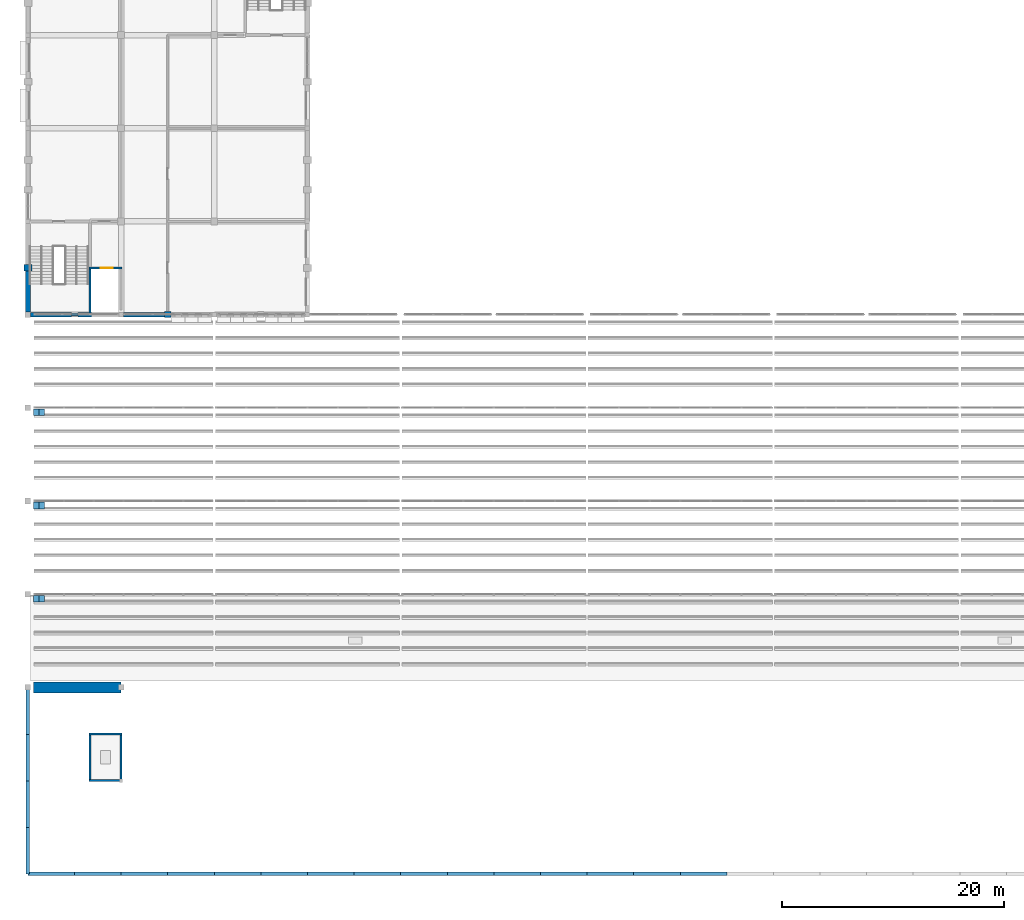
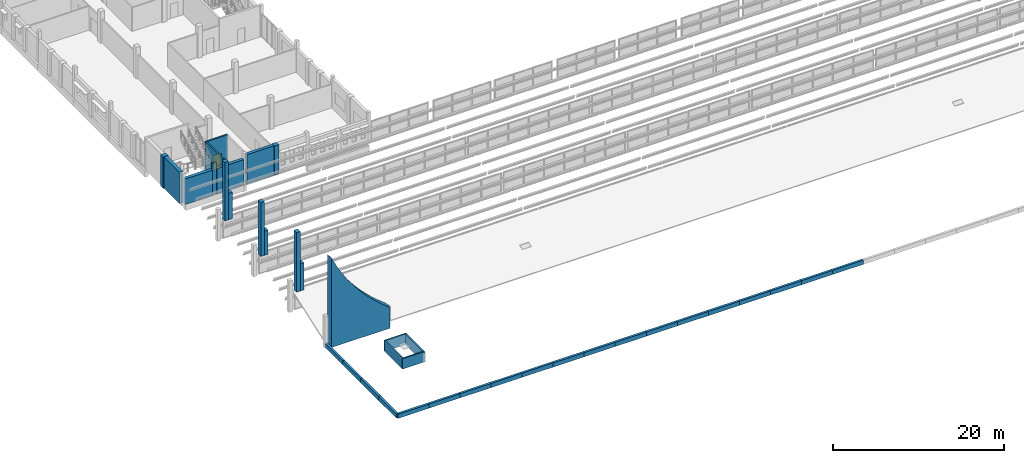
# One storey, part 92 of 116: 39 walls, 1 door, 1 opening.
"""IFC4 building model written with IfcOpenShell, lengths in metres."""

from ifc_helpers import new_model, si_unit, direction, frame, frame_2d, origin, place, context, subcontext, project, spatial, polyline, rectangle, outline, extrude, material, layer, layer_set, type_object, element, fill, save


model = new_model("IFC4")

# Units and contexts
model_context = context("Model", 3, precision=1e-05, world=origin(), true_north=direction((0.0, 1.0)))
body_context = subcontext(model_context, "Body", "Model", "MODEL_VIEW")
ifc_project = project(units=[si_unit("LENGTHUNIT", "METRE"), si_unit("AREAUNIT", "SQUARE_METRE"), si_unit("VOLUMEUNIT", "CUBIC_METRE"), si_unit("PLANEANGLEUNIT", "RADIAN"), si_unit("MASSUNIT", "GRAM", prefix="KILO")], contexts=[model_context])

# Site, building, storey
site_placement = place(None, origin())
site = spatial("IfcSite", under=ifc_project, at=site_placement, CompositionType="ELEMENT")
building_placement = place(site_placement, origin())
building = spatial("IfcBuilding", under=site, at=building_placement, Name="Fescue Hill Polytechnic", CompositionType="ELEMENT")
storey_placement = place(building_placement, frame((0.0, 0.0, 13.5)))
storey = spatial("IfcBuildingStorey", under=building, at=storey_placement, Name="L03", CompositionType="ELEMENT", Elevation=13.5)

# Walls
ifc_material_1 = material(Name="Clay brick masonry", Category="masonry")
ifc_layer_1 = layer(ifc_material_1, 0.60009765625)
ifc_layer_set_1 = layer_set([ifc_layer_1], Name="Clay brick masonry")
wall_type_1 = type_object("IfcWallType", Name="Brick crest pier 600", PredefinedType="SOLIDWALL", material=ifc_layer_set_1)
wall_1_placement = place(storey_placement, frame((0.5, 24.800048828125, 2.949951171875), z_axis=(0.0, 0.0, 1.0), x_axis=(1.0, 0.0, 0.0)))
element("IfcWall", 1, at=wall_1_placement, inside=storey, type_object=wall_type_1, Name="Hall west gable crest buttress 01", PredefinedType="SOLIDWALL", context=body_context, shape_type="SweptSolid", body=[
    extrude(rectangle(XDim=0.5, YDim=0.60009765625, at=frame_2d((0.25, 0.0))), origin(), (0.0, 0.0, 1.0), 8.526123046875),
])
wall_2_placement = place(storey_placement, frame((1.0, 24.800048828125, 2.949951171875), z_axis=(0.0, 0.0, 1.0), x_axis=(1.0, 0.0, 0.0)))
element("IfcWall", 2, at=wall_2_placement, inside=storey, type_object=wall_type_1, Name="Hall west gable crest buttress 01 foot", PredefinedType="SOLIDWALL", context=body_context, shape_type="SweptSolid", body=[
    extrude(rectangle(XDim=0.5, YDim=0.60009765625, at=frame_2d((0.25, 0.0))), origin(), (0.0, 0.0, 1.0), 3.837158203125),
])
wall_3_placement = place(storey_placement, frame((0.5, 33.199951171875, 2.949951171875), z_axis=(0.0, 0.0, 1.0), x_axis=(1.0, 0.0, 0.0)))
element("IfcWall", 3, at=wall_3_placement, inside=storey, type_object=wall_type_1, Name="Hall west gable crest buttress 02", PredefinedType="SOLIDWALL", context=body_context, shape_type="SweptSolid", body=[
    extrude(rectangle(XDim=0.5, YDim=0.60009765625, at=frame_2d((0.25, 0.0))), origin(), (0.0, 0.0, 1.0), 7.697021484375),
])
wall_4_placement = place(storey_placement, frame((1.0, 33.199951171875, 2.949951171875), z_axis=(0.0, 0.0, 1.0), x_axis=(1.0, 0.0, 0.0)))
element("IfcWall", 4, at=wall_4_placement, inside=storey, type_object=wall_type_1, Name="Hall west gable crest buttress 02 foot", PredefinedType="SOLIDWALL", context=body_context, shape_type="SweptSolid", body=[
    extrude(rectangle(XDim=0.5, YDim=0.60009765625, at=frame_2d((0.25, 0.0))), origin(), (0.0, 0.0, 1.0), 3.464111328125),
])
wall_5_placement = place(storey_placement, frame((0.5, 41.60009765625, 2.949951171875), z_axis=(0.0, 0.0, 1.0), x_axis=(1.0, 0.0, 0.0)))
element("IfcWall", 5, at=wall_5_placement, inside=storey, type_object=wall_type_1, Name="Hall west gable crest buttress 03", PredefinedType="SOLIDWALL", context=body_context, shape_type="SweptSolid", body=[
    extrude(rectangle(XDim=0.5, YDim=0.60009765625, at=frame_2d((0.25, 0.0))), origin(), (0.0, 0.0, 1.0), 8.381103515625),
])
wall_6_placement = place(storey_placement, frame((1.0, 41.60009765625, 2.949951171875), z_axis=(0.0, 0.0, 1.0), x_axis=(1.0, 0.0, 0.0)))
element("IfcWall", 6, at=wall_6_placement, inside=storey, type_object=wall_type_1, Name="Hall west gable crest buttress 03 foot", PredefinedType="SOLIDWALL", context=body_context, shape_type="SweptSolid", body=[
    extrude(rectangle(XDim=0.5, YDim=0.60009765625, at=frame_2d((0.25, 0.0))), origin(), (0.0, 0.0, 1.0), 3.77099609375),
])
ifc_layer_2 = layer(ifc_material_1, 1.0)
ifc_layer_set_2 = layer_set([ifc_layer_2], Name="Clay brick masonry")
wall_type_2 = type_object("IfcWallType", Name="Brick crest wall 1000", PredefinedType="SOLIDWALL", material=ifc_layer_set_2)
wall_7_placement = place(storey_placement, frame((0.5, 16.800048828125, 0.0), z_axis=(0.0, 0.0, 1.0), x_axis=(1.0, 0.0, 0.0)))
element("IfcWall", 7, at=wall_7_placement, inside=storey, type_object=wall_type_2, Name="Hall west crest south return", PredefinedType="SOLIDWALL", context=body_context, shape_type="SweptSolid", body=[
    extrude(outline(polyline([(0.0, 0.0), (7.89990234375, 0.0), (7.89990234375, 3.0), (6.91259765625, 3.771484375), (5.925048828125, 4.6279296875), (4.9375, 5.581787109375), (3.949951171875, 6.64990234375), (2.96240234375, 7.8564453125), (1.97509765625, 9.2373046875), (0.987548828125, 10.851806640625), (0.0, 12.809326171875), (0.0, 0.0)])), frame((0.0, 0.5, 0.0), z_axis=(0.0, -1.0, 0.0), x_axis=(1.0, 0.0, 0.0)), (0.0, 0.0, 1.0), 1.0),
])
ifc_layer_3 = layer(ifc_material_1, 0.550048828125)
ifc_layer_set_3 = layer_set([ifc_layer_3], Name="Clay brick masonry")
wall_type_3 = type_object("IfcWallType", Name="Brick pier 600x550", PredefinedType="SOLIDWALL", material=ifc_layer_set_3)
wall_8_placement = place(storey_placement, frame((12.300048828125, 50.39990234375, 0.0), z_axis=(0.0, 0.0, 1.0), x_axis=(1.0, 0.0, 0.0)))
element("IfcWall", 8, at=wall_8_placement, inside=storey, type_object=wall_type_3, Name="PR-L03-V4-23", PredefinedType="SOLIDWALL", context=body_context, shape_type="SweptSolid", body=[
    extrude(rectangle(XDim=0.599853515625, YDim=0.550048828125, at=frame_2d((0.2998046875, 0.0))), origin(), (0.0, 0.0, 1.0), 4.199951171875),
])
ifc_material_2 = material(Name="Concrete 40 MPa", Category="concrete")
ifc_layer_4 = layer(ifc_material_2, 0.25)
ifc_layer_set_4 = layer_set([ifc_layer_4], Name="Concrete 40 MPa")
wall_type_4 = type_object("IfcWallType", Name="Core wall 250", PredefinedType="SHEAR", material=ifc_layer_set_4)
wall_9_placement = place(storey_placement, frame((3.925048828125, 50.39990234375, 0.0), z_axis=(0.0, 0.0, 1.0), x_axis=(1.0, 0.0, 0.0)))
element("IfcWall", 9, at=wall_9_placement, inside=storey, type_object=wall_type_4, Name="SCW-L03-ST-V4-1-s1", PredefinedType="SHEAR", context=body_context, shape_type="SweptSolid", body=[
    extrude(rectangle(XDim=0.599853515625, YDim=0.25, at=frame_2d((0.2998046875, 0.0))), origin(), (0.0, 0.0, 1.0), 4.5),
])
ifc_layer_5 = layer(ifc_material_2, 0.449951171875)
ifc_layer_set_5 = layer_set([ifc_layer_5], Name="Concrete 40 MPa")
wall_type_5 = type_object("IfcWallType", Name="Exterior wall board-marked concrete 450 load-bearing", PredefinedType="SOLIDWALL", material=ifc_layer_set_5)
wall_10_placement = place(storey_placement, frame((0.0, 54.324951171875, 0.0), z_axis=(0.0, 0.0, 1.0), x_axis=(0.0, -1.0, 0.0)))
element("IfcWall", 10, at=wall_10_placement, inside=storey, type_object=wall_type_5, Name="EW-L03-V4-35", PredefinedType="SOLIDWALL", context=body_context, shape_type="SweptSolid", body=[
    extrude(rectangle(XDim=3.675048828125, YDim=0.449951171875, at=frame_2d((1.83740234375, 0.0))), origin(), (0.0, 0.0, 1.0), 4.5),
])
ifc_layer_6 = layer(ifc_material_1, 0.419921875)
ifc_layer_set_6 = layer_set([ifc_layer_6], Name="Clay brick masonry")
wall_type_6 = type_object("IfcWallType", Name="Exterior wall buff-red brick cavity 420", PredefinedType="SOLIDWALL", material=ifc_layer_set_6)
wall_11_placement = place(storey_placement, frame((8.60009765625, 50.39990234375, 0.0), z_axis=(0.0, 0.0, 1.0), x_axis=(1.0, 0.0, 0.0)))
element("IfcWall", 11, at=wall_11_placement, inside=storey, type_object=wall_type_6, Name="EW-L03-V4-38", PredefinedType="SOLIDWALL", context=body_context, shape_type="SweptSolid", body=[
    extrude(rectangle(XDim=3.699951171875, YDim=0.419921875, at=frame_2d((1.85009765625, 0.0))), origin(), (0.0, 0.0, 1.0), 4.199951171875),
])
ifc_layer_7 = layer(ifc_material_1, 0.419921875)
ifc_layer_set_7 = layer_set([ifc_layer_7], Name="Clay brick masonry")
wall_type_7 = type_object("IfcWallType", Name="Exterior wall buff-red brick cavity 420 load-bearing", PredefinedType="SOLIDWALL", material=ifc_layer_set_7)
for number, where, z_axis, x_axis, name in (
    (12, (0.25, 50.39990234375, 0.0), (0.0, 0.0, 1.0), (1.0, 0.0, 0.0), "EW-L03-V4-36"),
    (13, (4.52490234375, 50.39990234375, 0.0), (0.0, 0.0, 1.0), (1.0, 0.0, 0.0), "EW-L03-V4-37"),
):
    element("IfcWall", number, at=place(storey_placement, frame(where, z_axis=z_axis, x_axis=x_axis)), inside=storey, type_object=wall_type_7, Name=name, PredefinedType="SOLIDWALL", context=body_context, shape_type="SweptSolid", body=[
        extrude(rectangle(XDim=3.675048828125, YDim=0.419921875, at=frame_2d((1.83740234375, 0.0))), origin(), (0.0, 0.0, 1.0), 3.64990234375),
    ])
ifc_layer_8 = layer(ifc_material_2, 0.699951171875)
ifc_layer_set_8 = layer_set([ifc_layer_8], Name="Concrete 40 MPa")
wall_type_8 = type_object("IfcWallType", Name="Fin wall board-marked 600x700", PredefinedType="SOLIDWALL", material=ifc_layer_set_8)
wall_12_placement = place(storey_placement, frame((0.0, 54.925048828125, 0.0), z_axis=(0.0, 0.0, 1.0), x_axis=(0.0, -1.0, 0.0)))
element("IfcWall", 14, at=wall_12_placement, inside=storey, type_object=wall_type_8, Name="PR-L03-V4-21", PredefinedType="SOLIDWALL", context=body_context, shape_type="SweptSolid", body=[
    extrude(rectangle(XDim=0.60009765625, YDim=0.699951171875, at=frame_2d((0.300048828125, 0.0))), origin(), (0.0, 0.0, 1.0), 4.5),
])

# Wall, opening, door
ifc_layer_9 = layer(ifc_material_2, 0.199951171875)
ifc_layer_set_9 = layer_set([ifc_layer_9], Name="Concrete 40 MPa")
wall_type_9 = type_object("IfcWallType", Name="Lift shaft wall 200", PredefinedType="SHEAR", material=ifc_layer_set_9)
wall_13_placement = place(storey_placement, frame((5.5, 54.60009765625, 0.0), z_axis=(0.0, 0.0, 1.0), x_axis=(1.0, 0.0, 0.0)))
wall_13 = element("IfcWall", 15, at=wall_13_placement, inside=storey, type_object=wall_type_9, Name="CW-L03-LF-V4-1-21", PredefinedType="SHEAR", context=body_context, shape_type="SweptSolid", body=[
    extrude(rectangle(XDim=3.0, YDim=0.199951171875, at=frame_2d((1.5, 0.0))), origin(), (0.0, 0.0, 1.0), 4.5),
])
opening_placement = place(wall_13_placement, frame((1.050048828125, 0.0, 0.0)))
opening = element("IfcOpeningElement", 16, at=opening_placement, cuts=wall_13, Name="Opening LD4-L03", PredefinedType="OPENING", context=body_context, shape_type="SweptSolid", body=[
    extrude(rectangle(XDim=1.10009765625, YDim=2.10009765625, at=frame_2d((0.550048828125, 1.050048828125))), frame((0.0, 0.10986328125, 0.0), z_axis=(0.0, -1.0, 0.0), x_axis=(1.0, 0.0, 0.0)), (0.0, 0.0, 1.0), 0.219970703125),
])
ifc_material_3 = material(Name="Stainless steel", Category="steel")
door_type = type_object("IfcDoorType", Name="Lift landing door sliding 1100x2100", OperationType="SLIDING_TO_LEFT", PredefinedType="DOOR", material=ifc_material_3)
door_placement = place(opening_placement, origin())
door = element("IfcDoor", 17, at=door_placement, inside=storey, type_object=door_type, Name="L03 LF-V4-1 lift landing door", OperationType="SLIDING_TO_RIGHT", OverallHeight=2.10009765625, OverallWidth=1.10009765625, PredefinedType="DOOR", context=body_context, shape_type="SweptSolid", body=[
    extrude(rectangle(XDim=1.10009765625, YDim=2.10009765625, at=frame_2d((0.550048828125, 1.050048828125))), frame((0.0, 0.02490234375, 0.0), z_axis=(0.0, -1.0, 0.0), x_axis=(1.0, 0.0, 0.0)), (0.0, 0.0, 1.0), 0.050048828125),
])
fill(opening, door)

# Walls
wall_14_placement = place(storey_placement, frame((5.60009765625, 50.5, 0.0), z_axis=(0.0, 0.0, 1.0), x_axis=(0.0, 1.0, 0.0)))
element("IfcWall", 18, at=wall_14_placement, inside=storey, type_object=wall_type_9, Name="CW-L03-LF-V4-1-31", PredefinedType="SHEAR", context=body_context, shape_type="SweptSolid", body=[
    extrude(rectangle(XDim=4.0, YDim=0.199951171875, at=frame_2d((2.0, 0.0))), origin(), (0.0, 0.0, 1.0), 4.5),
])
for number, where, z_axis, x_axis, name in (
    (19, (5.5, 8.39990234375, 0.0), (0.0, 0.0, 1.0), (1.0, 0.0, 0.0), "OW-LF-V1-1-1"),
    (20, (5.5, 12.60009765625, 0.0), (0.0, 0.0, 1.0), (1.0, 0.0, 0.0), "OW-LF-V1-1-2"),
):
    element("IfcWall", number, at=place(storey_placement, frame(where, z_axis=z_axis, x_axis=x_axis)), inside=storey, type_object=wall_type_9, Name=name, PredefinedType="SHEAR", context=body_context, shape_type="SweptSolid", body=[
        extrude(rectangle(XDim=3.0, YDim=0.199951171875, at=frame_2d((1.5, 0.0))), origin(), (0.0, 0.0, 1.0), 1.5),
    ])
for number, where, z_axis, x_axis, name in (
    (21, (5.60009765625, 8.5, 0.0), (0.0, 0.0, 1.0), (0.0, 1.0, 0.0), "OW-LF-V1-1-3"),
    (22, (8.39990234375, 8.5, 0.0), (0.0, 0.0, 1.0), (0.0, 1.0, 0.0), "OW-LF-V1-1-4"),
):
    element("IfcWall", number, at=place(storey_placement, frame(where, z_axis=z_axis, x_axis=x_axis)), inside=storey, type_object=wall_type_9, Name=name, PredefinedType="SHEAR", context=body_context, shape_type="SweptSolid", body=[
        extrude(rectangle(XDim=4.0, YDim=0.199951171875, at=frame_2d((2.0, 0.0))), origin(), (0.0, 0.0, 1.0), 1.5),
    ])
ifc_layer_10 = layer(ifc_material_1, 0.300048828125)
ifc_layer_set_10 = layer_set([ifc_layer_10], Name="Clay brick masonry")
wall_type_10 = type_object("IfcWallType", Name="Parapet wall brick 300", PredefinedType="PARAPET", material=ifc_layer_set_10)
for number, where, z_axis, x_axis, name in (
    (23, (63.0, 0.0, 0.0), (0.0, 0.0, 1.0), (-1.0, 0.0, 0.0), "PP-L03-V1-18"),
    (24, (58.800048828125, 0.0, 0.0), (0.0, 0.0, 1.0), (-1.0, 0.0, 0.0), "PP-L03-V1-19"),
):
    element("IfcWall", number, at=place(storey_placement, frame(where, z_axis=z_axis, x_axis=x_axis)), inside=storey, type_object=wall_type_10, Name=name, PredefinedType="PARAPET", context=body_context, shape_type="SweptSolid", body=[
        extrude(rectangle(XDim=4.199951171875, YDim=0.300048828125, at=frame_2d((2.10009765625, 0.0))), origin(), (0.0, 0.0, 1.0), 0.60009765625),
    ])
wall_15_placement = place(storey_placement, frame((54.60009765625, 0.0, 0.0), z_axis=(0.0, 0.0, 1.0), x_axis=(-1.0, 0.0, 0.0)))
element("IfcWall", 25, at=wall_15_placement, inside=storey, type_object=wall_type_10, Name="PP-L03-V1-20", PredefinedType="PARAPET", context=body_context, shape_type="SweptSolid", body=[
    extrude(rectangle(XDim=4.2001953125, YDim=0.300048828125, at=frame_2d((2.10009765625, 0.0))), origin(), (0.0, 0.0, 1.0), 0.60009765625),
])
for number, where, z_axis, x_axis, name in (
    (26, (50.39990234375, 0.0, 0.0), (0.0, 0.0, 1.0), (-1.0, 0.0, 0.0), "PP-L03-V1-21"),
    (27, (46.199951171875, 0.0, 0.0), (0.0, 0.0, 1.0), (-1.0, 0.0, 0.0), "PP-L03-V1-22"),
    (28, (42.0, 0.0, 0.0), (0.0, 0.0, 1.0), (-1.0, 0.0, 0.0), "PP-L03-V1-23"),
    (29, (37.800048828125, 0.0, 0.0), (0.0, 0.0, 1.0), (-1.0, 0.0, 0.0), "PP-L03-V1-24"),
):
    element("IfcWall", number, at=place(storey_placement, frame(where, z_axis=z_axis, x_axis=x_axis)), inside=storey, type_object=wall_type_10, Name=name, PredefinedType="PARAPET", context=body_context, shape_type="SweptSolid", body=[
        extrude(rectangle(XDim=4.199951171875, YDim=0.300048828125, at=frame_2d((2.10009765625, 0.0))), origin(), (0.0, 0.0, 1.0), 0.60009765625),
    ])
wall_16_placement = place(storey_placement, frame((33.60009765625, 0.0, 0.0), z_axis=(0.0, 0.0, 1.0), x_axis=(-1.0, 0.0, 0.0)))
element("IfcWall", 30, at=wall_16_placement, inside=storey, type_object=wall_type_10, Name="PP-L03-V1-25", PredefinedType="PARAPET", context=body_context, shape_type="SweptSolid", body=[
    extrude(rectangle(XDim=4.2001953125, YDim=0.300048828125, at=frame_2d((2.10009765625, 0.0))), origin(), (0.0, 0.0, 1.0), 0.60009765625),
])
for number, where, z_axis, x_axis, name in (
    (31, (29.39990234375, 0.0, 0.0), (0.0, 0.0, 1.0), (-1.0, 0.0, 0.0), "PP-L03-V1-26"),
    (32, (25.199951171875, 0.0, 0.0), (0.0, 0.0, 1.0), (-1.0, 0.0, 0.0), "PP-L03-V1-27"),
    (33, (21.0, 0.0, 0.0), (0.0, 0.0, 1.0), (-1.0, 0.0, 0.0), "PP-L03-V1-28"),
    (34, (16.800048828125, 0.0, 0.0), (0.0, 0.0, 1.0), (-1.0, 0.0, 0.0), "PP-L03-V1-29"),
):
    element("IfcWall", number, at=place(storey_placement, frame(where, z_axis=z_axis, x_axis=x_axis)), inside=storey, type_object=wall_type_10, Name=name, PredefinedType="PARAPET", context=body_context, shape_type="SweptSolid", body=[
        extrude(rectangle(XDim=4.199951171875, YDim=0.300048828125, at=frame_2d((2.10009765625, 0.0))), origin(), (0.0, 0.0, 1.0), 0.60009765625),
    ])
wall_17_placement = place(storey_placement, frame((12.60009765625, 0.0, 0.0), z_axis=(0.0, 0.0, 1.0), x_axis=(-1.0, 0.0, 0.0)))
element("IfcWall", 35, at=wall_17_placement, inside=storey, type_object=wall_type_10, Name="PP-L03-V1-30", PredefinedType="PARAPET", context=body_context, shape_type="SweptSolid", body=[
    extrude(rectangle(XDim=4.2001953125, YDim=0.300048828125, at=frame_2d((2.10009765625, 0.0))), origin(), (0.0, 0.0, 1.0), 0.60009765625),
])
for number, where, z_axis, x_axis, name in (
    (36, (8.39990234375, 0.0, 0.0), (0.0, 0.0, 1.0), (-1.0, 0.0, 0.0), "PP-L03-V1-31"),
    (37, (4.199951171875, 0.0, 0.0), (0.0, 0.0, 1.0), (-1.0, 0.0, 0.0), "PP-L03-V1-32"),
):
    element("IfcWall", number, at=place(storey_placement, frame(where, z_axis=z_axis, x_axis=x_axis)), inside=storey, type_object=wall_type_10, Name=name, PredefinedType="PARAPET", context=body_context, shape_type="SweptSolid", body=[
        extrude(rectangle(XDim=4.199951171875, YDim=0.300048828125, at=frame_2d((2.10009765625, 0.0))), origin(), (0.0, 0.0, 1.0), 0.60009765625),
    ])
for number, where, z_axis, x_axis, name in (
    (38, (0.0, 0.0, 0.0), (0.0, 0.0, 1.0), (0.0, 1.0, 0.0), "PP-L03-V1-33"),
    (39, (0.0, 4.1875, 0.0), (0.0, 0.0, 1.0), (0.0, 1.0, 0.0), "PP-L03-V1-34"),
    (40, (0.0, 8.375, 0.0), (0.0, 0.0, 1.0), (0.0, 1.0, 0.0), "PP-L03-V1-35"),
    (41, (0.0, 12.5625, 0.0), (0.0, 0.0, 1.0), (0.0, 1.0, 0.0), "PP-L03-V1-36"),
):
    element("IfcWall", number, at=place(storey_placement, frame(where, z_axis=z_axis, x_axis=x_axis)), inside=storey, type_object=wall_type_10, Name=name, PredefinedType="PARAPET", context=body_context, shape_type="SweptSolid", body=[
        extrude(rectangle(XDim=4.1875, YDim=0.300048828125, at=frame_2d((2.09375, 0.0))), origin(), (0.0, 0.0, 1.0), 0.60009765625),
    ])

save(model, "model.ifc")
